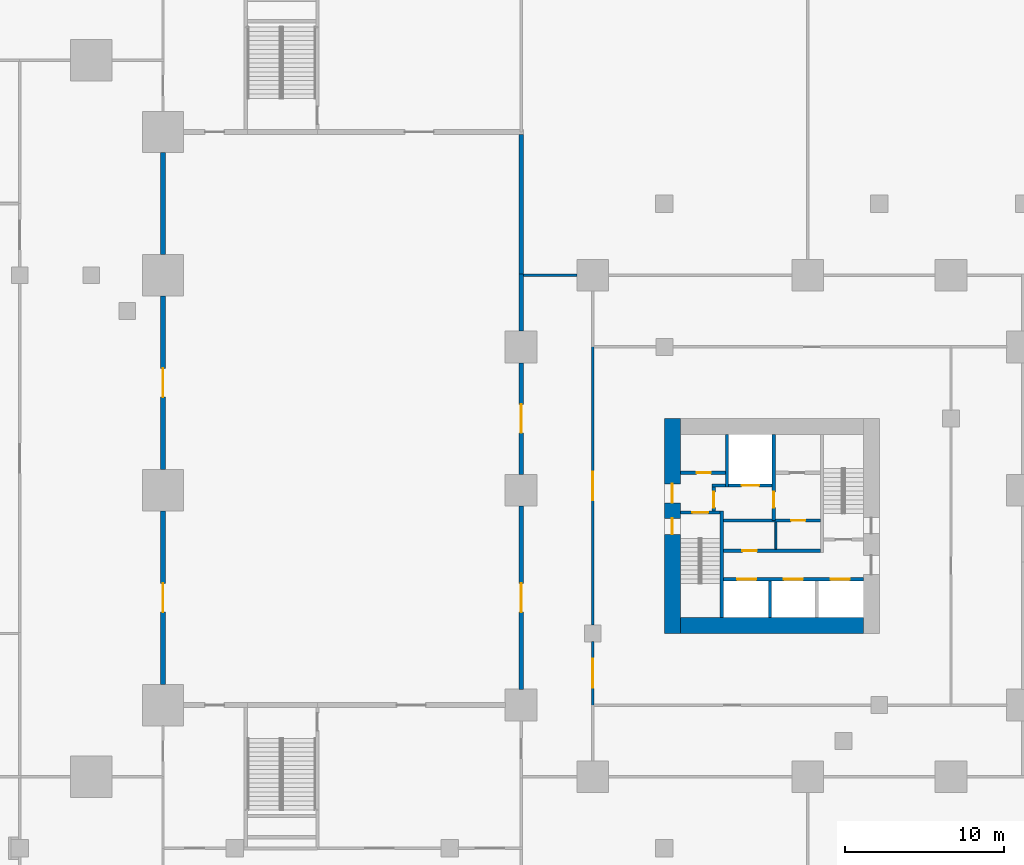
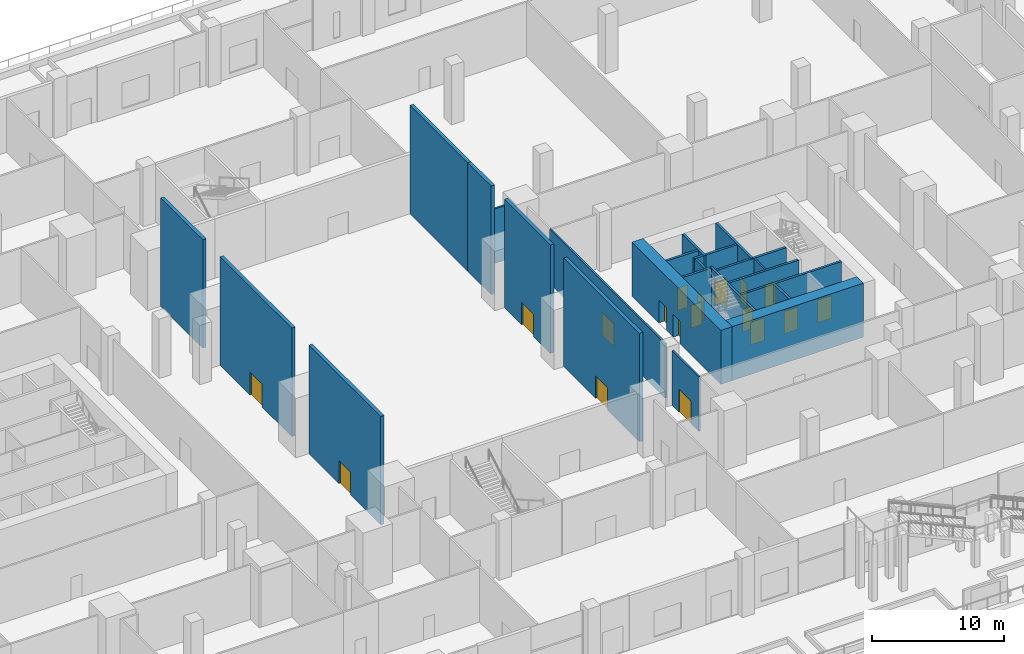
# One storey, part 30 of 47: 25 walls, 18 doors, 18 openings.
"""IFC4 building model written with IfcOpenShell, lengths in metres."""

from ifc_helpers import new_model, si_unit, direction, frame, frame_2d, origin, place, context, subcontext, project, spatial, rectangle, extrude, material, layer, layer_set, type_object, element, fill, save


model = new_model("IFC4")

# Units and contexts
model_context = context("Model", 3, precision=1e-05, world=origin(), true_north=direction((0.0, 1.0)))
body_context = subcontext(model_context, "Body", "Model", "MODEL_VIEW")
ifc_project = project(units=[si_unit("LENGTHUNIT", "METRE"), si_unit("AREAUNIT", "SQUARE_METRE"), si_unit("VOLUMEUNIT", "CUBIC_METRE"), si_unit("PLANEANGLEUNIT", "RADIAN"), si_unit("MASSUNIT", "GRAM", prefix="KILO")], contexts=[model_context])

# Site, building, storey
site_placement = place(None, origin())
site = spatial("IfcSite", under=ifc_project, at=site_placement, CompositionType="ELEMENT")
building_placement = place(site_placement, origin())
building = spatial("IfcBuilding", under=site, at=building_placement, Name="Altepetl Exchange Towers", CompositionType="ELEMENT")
storey_placement = place(building_placement, frame((0.0, 0.0, 6.0)))
storey = spatial("IfcBuildingStorey", under=building, at=storey_placement, Name="L01 Retail podium", CompositionType="ELEMENT", Elevation=6.0)

# Wall
ifc_material_1 = material(Name="Concrete C70/85", Category="concrete")
ifc_layer_1 = layer(ifc_material_1, 1.0)
ifc_layer_set_1 = layer_set([ifc_layer_1], Name="Concrete C70/85")
wall_type_1 = type_object("IfcWallType", Name="Core wall 1000 reinforced concrete", PredefinedType="SHEAR", material=ifc_layer_set_1)
wall_1_placement = place(storey_placement, frame((104.5, 36.5, 0.0)))
element("IfcWall", 1, at=wall_1_placement, inside=storey, type_object=wall_type_1, Name="wall:B:L01:K-coreS", PredefinedType="SHEAR", context=body_context, shape_type="SweptSolid", body=[
    extrude(rectangle(XDim=11.5, YDim=1.0, at=frame_2d((5.75, 0.0))), origin(), (0.0, 0.0, 1.0), 5.0),
])

# Wall, openings, doors
wall_2_placement = place(storey_placement, frame((104.0, 36.0, 0.0), z_axis=(0.0, 0.0, 1.0), x_axis=(0.0, 1.0, 0.0)))
wall_2 = element("IfcWall", 2, at=wall_2_placement, inside=storey, type_object=wall_type_1, Name="wall:B:L01:K-coreW", PredefinedType="SHEAR", context=body_context, shape_type="SweptSolid", body=[
    extrude(rectangle(XDim=13.5, YDim=1.0, at=frame_2d((6.75, 0.0))), origin(), (0.0, 0.0, 1.0), 5.0),
])
opening_1_placement = place(wall_2_placement, frame((8.199951171875, 0.0, 0.0)))
opening_1 = element("IfcOpeningElement", 3, at=opening_1_placement, cuts=wall_2, Name="Opening L01.B60", PredefinedType="OPENING", context=body_context, shape_type="SweptSolid", body=[
    extrude(rectangle(XDim=1.199951171875, YDim=2.10009765625, at=frame_2d((0.60009765625, 1.050048828125))), frame((0.0, 0.510009765625, 0.0), z_axis=(0.0, -1.0, 0.0), x_axis=(1.0, 0.0, 0.0)), (0.0, 0.0, 1.0), 1.02001953125),
])
opening_2_placement = place(wall_2_placement, frame((6.22509765625, 0.0, 0.0)))
opening_2 = element("IfcOpeningElement", 4, at=opening_2_placement, cuts=wall_2, Name="Opening L01.B63", PredefinedType="OPENING", context=body_context, shape_type="SweptSolid", body=[
    extrude(rectangle(XDim=1.0, YDim=2.10009765625, at=frame_2d((0.5, 1.050048828125))), frame((0.0, 0.510009765625, 0.0), z_axis=(0.0, -1.0, 0.0), x_axis=(1.0, 0.0, 0.0)), (0.0, 0.0, 1.0), 1.02001953125),
])
ifc_material_2 = material(Name="Steel and timber fire door", Category="steel")
door_type_1 = type_object("IfcDoorType", Name="Fire door 1000 x 2100 stair and lobby", OperationType="SINGLE_SWING_LEFT", PredefinedType="DOOR", material=ifc_material_2)
door_1_placement = place(opening_2_placement, frame((1.0, 0.0, 0.0), x_axis=(-1.0, 0.0, 0.0)))
door_1 = element("IfcDoor", 5, at=door_1_placement, inside=storey, type_object=door_type_1, Name="door:B:L01:K-dS1x", OperationType="SINGLE_SWING_RIGHT", OverallHeight=2.10009765625, OverallWidth=1.0, PredefinedType="DOOR", context=body_context, shape_type="SweptSolid", body=[
    extrude(rectangle(XDim=1.0, YDim=2.10009765625, at=frame_2d((0.5, 1.050048828125))), frame((0.0, 0.02490234375, 0.0), z_axis=(0.0, -1.0, 0.0), x_axis=(1.0, 0.0, 0.0)), (0.0, 0.0, 1.0), 0.050048828125),
])
fill(opening_2, door_1)
door_type_2 = type_object("IfcDoorType", Name="Fire door 1200 x 2100 lobby entry", OperationType="SINGLE_SWING_LEFT", PredefinedType="DOOR", material=ifc_material_2)
door_2_placement = place(opening_1_placement, frame((1.199951171875, 0.0, 0.0), x_axis=(-1.0, 0.0, 0.0)))
door_2 = element("IfcDoor", 6, at=door_2_placement, inside=storey, type_object=door_type_2, Name="door:B:L01:K-dLNW", OperationType="SINGLE_SWING_RIGHT", OverallHeight=2.10009765625, OverallWidth=1.199951171875, PredefinedType="DOOR", context=body_context, shape_type="SweptSolid", body=[
    extrude(rectangle(XDim=1.199951171875, YDim=2.10009765625, at=frame_2d((0.60009765625, 1.050048828125))), frame((0.0, 0.02490234375, 0.0), z_axis=(0.0, -1.0, 0.0), x_axis=(1.0, 0.0, 0.0)), (0.0, 0.0, 1.0), 0.050048828125),
])
fill(opening_1, door_2)

# Wall, opening, door
ifc_material_3 = material(Name="Reinforced concrete C35/45", Category="concrete")
ifc_layer_2 = layer(ifc_material_3, 0.300048828125)
ifc_layer_set_2 = layer_set([ifc_layer_2], Name="Reinforced concrete C35/45")
wall_type_2 = type_object("IfcWallType", Name="Exchange hall wall 300", PredefinedType="SOLIDWALL", material=ifc_layer_set_2)
wall_3_placement = place(storey_placement, frame((72.0, 32.794921875, 0.0), z_axis=(0.0, 0.0, 1.0), x_axis=(0.0, 1.0, 0.0)))
wall_3 = element("IfcWall", 7, at=wall_3_placement, inside=storey, type_object=wall_type_2, Name="wall:P:L01:P014", PredefinedType="SOLIDWALL", context=body_context, shape_type="SweptSolid", body=[
    extrude(rectangle(XDim=10.91015625, YDim=0.300048828125, at=frame_2d((5.455078125, 0.0))), origin(), (0.0, 0.0, 1.0), 10.050048828125),
])
opening_3_placement = place(wall_3_placement, frame((4.550048828125, 0.0, 0.0)))
opening_3 = element("IfcOpeningElement", 8, at=opening_3_placement, cuts=wall_3, Name="Opening L01.P035", PredefinedType="OPENING", context=body_context, shape_type="SweptSolid", body=[
    extrude(rectangle(XDim=1.800048828125, YDim=2.10009765625, at=frame_2d((0.89990234375, 1.050048828125))), frame((0.0, 0.16015625, 0.0), z_axis=(0.0, -1.0, 0.0), x_axis=(1.0, 0.0, 0.0)), (0.0, 0.0, 1.0), 0.320068359375),
])
ifc_material_4 = material(Name="Glazed aluminium and steel", Category="steel")
door_type_3 = type_object("IfcDoorType", Name="Podium fire door 1800 x 2100 double leaf", OperationType="DOUBLE_DOOR_SINGLE_SWING", PredefinedType="DOOR", material=ifc_material_4)
door_3_placement = place(opening_3_placement, origin())
door_3 = element("IfcDoor", 9, at=door_3_placement, inside=storey, type_object=door_type_3, Name="door:P:L01:035", OperationType="DOUBLE_DOOR_SINGLE_SWING", OverallHeight=2.10009765625, OverallWidth=1.800048828125, PredefinedType="DOOR", context=body_context, shape_type="SweptSolid", body=[
    extrude(rectangle(XDim=1.800048828125, YDim=2.10009765625, at=frame_2d((0.89990234375, 1.050048828125))), frame((0.0, 0.02490234375, 0.0), z_axis=(0.0, -1.0, 0.0), x_axis=(1.0, 0.0, 0.0)), (0.0, 0.0, 1.0), 0.050048828125),
])
fill(opening_3, door_3)

wall_4_placement = place(storey_placement, frame((72.0, 46.294921875, 0.0), z_axis=(0.0, 0.0, 1.0), x_axis=(0.0, 1.0, 0.0)))
wall_4 = element("IfcWall", 10, at=wall_4_placement, inside=storey, type_object=wall_type_2, Name="wall:P:L01:P015", PredefinedType="SOLIDWALL", context=body_context, shape_type="SweptSolid", body=[
    extrude(rectangle(XDim=10.91015625, YDim=0.300048828125, at=frame_2d((5.455078125, 0.0))), origin(), (0.0, 0.0, 1.0), 10.050048828125),
])
opening_4_placement = place(wall_4_placement, frame((4.550048828125, 0.0, 0.0)))
opening_4 = element("IfcOpeningElement", 11, at=opening_4_placement, cuts=wall_4, Name="Opening L01.P036", PredefinedType="OPENING", context=body_context, shape_type="SweptSolid", body=[
    extrude(rectangle(XDim=1.800048828125, YDim=2.10009765625, at=frame_2d((0.89990234375, 1.050048828125))), frame((0.0, 0.16015625, 0.0), z_axis=(0.0, -1.0, 0.0), x_axis=(1.0, 0.0, 0.0)), (0.0, 0.0, 1.0), 0.320068359375),
])
door_4_placement = place(opening_4_placement, origin())
door_4 = element("IfcDoor", 12, at=door_4_placement, inside=storey, type_object=door_type_3, Name="door:P:L01:036", OperationType="DOUBLE_DOOR_SINGLE_SWING", OverallHeight=2.10009765625, OverallWidth=1.800048828125, PredefinedType="DOOR", context=body_context, shape_type="SweptSolid", body=[
    extrude(rectangle(XDim=1.800048828125, YDim=2.10009765625, at=frame_2d((0.89990234375, 1.050048828125))), frame((0.0, 0.02490234375, 0.0), z_axis=(0.0, -1.0, 0.0), x_axis=(1.0, 0.0, 0.0)), (0.0, 0.0, 1.0), 0.050048828125),
])
fill(opening_4, door_4)

# Wall
wall_5_placement = place(storey_placement, frame((72.0, 59.794921875, 0.0), z_axis=(0.0, 0.0, 1.0), x_axis=(0.0, 1.0, 0.0)))
element("IfcWall", 13, at=wall_5_placement, inside=storey, type_object=wall_type_2, Name="wall:P:L01:P016", PredefinedType="SOLIDWALL", context=body_context, shape_type="SweptSolid", body=[
    extrude(rectangle(XDim=6.41015625, YDim=0.300048828125, at=frame_2d((3.205078125, 0.0))), origin(), (0.0, 0.0, 1.0), 10.050048828125),
])

# Wall, opening, door
wall_6_placement = place(storey_placement, frame((94.5, 32.4951171875, 0.0), z_axis=(0.0, 0.0, 1.0), x_axis=(0.0, 1.0, 0.0)))
wall_6 = element("IfcWall", 14, at=wall_6_placement, inside=storey, type_object=wall_type_2, Name="wall:P:L01:P017", PredefinedType="SOLIDWALL", context=body_context, shape_type="SweptSolid", body=[
    extrude(rectangle(XDim=11.509765625, YDim=0.300048828125, at=frame_2d((5.7548828125, 0.0))), origin(), (0.0, 0.0, 1.0), 10.050048828125),
])
opening_5_placement = place(wall_6_placement, frame((4.85009765625, 0.0, 0.0)))
opening_5 = element("IfcOpeningElement", 15, at=opening_5_placement, cuts=wall_6, Name="Opening L01.P037", PredefinedType="OPENING", context=body_context, shape_type="SweptSolid", body=[
    extrude(rectangle(XDim=1.800048828125, YDim=2.10009765625, at=frame_2d((0.89990234375, 1.050048828125))), frame((0.0, 0.16015625, 0.0), z_axis=(0.0, -1.0, 0.0), x_axis=(1.0, 0.0, 0.0)), (0.0, 0.0, 1.0), 0.320068359375),
])
door_5_placement = place(opening_5_placement, frame((1.800048828125, 0.0, 0.0), x_axis=(-1.0, 0.0, 0.0)))
door_5 = element("IfcDoor", 16, at=door_5_placement, inside=storey, type_object=door_type_3, Name="door:P:L01:037", OperationType="DOUBLE_DOOR_SINGLE_SWING", OverallHeight=2.10009765625, OverallWidth=1.800048828125, PredefinedType="DOOR", context=body_context, shape_type="SweptSolid", body=[
    extrude(rectangle(XDim=1.800048828125, YDim=2.10009765625, at=frame_2d((0.89990234375, 1.050048828125))), frame((0.0, 0.02490234375, 0.0), z_axis=(0.0, -1.0, 0.0), x_axis=(1.0, 0.0, 0.0)), (0.0, 0.0, 1.0), 0.050048828125),
])
fill(opening_5, door_5)

wall_7_placement = place(storey_placement, frame((94.5, 45.9951171875, 0.0), z_axis=(0.0, 0.0, 1.0), x_axis=(0.0, 1.0, 0.0)))
wall_7 = element("IfcWall", 17, at=wall_7_placement, inside=storey, type_object=wall_type_2, Name="wall:P:L01:P018", PredefinedType="SOLIDWALL", context=body_context, shape_type="SweptSolid", body=[
    extrude(rectangle(XDim=7.009765625, YDim=0.300048828125, at=frame_2d((3.5048828125, 0.0))), origin(), (0.0, 0.0, 1.0), 10.050048828125),
])
opening_6_placement = place(wall_7_placement, frame((2.60009765625, 0.0, 0.0)))
opening_6 = element("IfcOpeningElement", 18, at=opening_6_placement, cuts=wall_7, Name="Opening L01.P038", PredefinedType="OPENING", context=body_context, shape_type="SweptSolid", body=[
    extrude(rectangle(XDim=1.800048828125, YDim=2.10009765625, at=frame_2d((0.89990234375, 1.050048828125))), frame((0.0, 0.16015625, 0.0), z_axis=(0.0, -1.0, 0.0), x_axis=(1.0, 0.0, 0.0)), (0.0, 0.0, 1.0), 0.320068359375),
])
door_6_placement = place(opening_6_placement, frame((1.800048828125, 0.0, 0.0), x_axis=(-1.0, 0.0, 0.0)))
door_6 = element("IfcDoor", 19, at=door_6_placement, inside=storey, type_object=door_type_3, Name="door:P:L01:038", OperationType="DOUBLE_DOOR_SINGLE_SWING", OverallHeight=2.10009765625, OverallWidth=1.800048828125, PredefinedType="DOOR", context=body_context, shape_type="SweptSolid", body=[
    extrude(rectangle(XDim=1.800048828125, YDim=2.10009765625, at=frame_2d((0.89990234375, 1.050048828125))), frame((0.0, 0.02490234375, 0.0), z_axis=(0.0, -1.0, 0.0), x_axis=(1.0, 0.0, 0.0)), (0.0, 0.0, 1.0), 0.050048828125),
])
fill(opening_6, door_6)

# Walls
wall_8_placement = place(storey_placement, frame((94.5, 54.9951171875, 0.0), z_axis=(0.0, 0.0, 1.0), x_axis=(0.0, 1.0, 0.0)))
element("IfcWall", 20, at=wall_8_placement, inside=storey, type_object=wall_type_2, Name="wall:P:L01:P019", PredefinedType="SOLIDWALL", context=body_context, shape_type="SweptSolid", body=[
    extrude(rectangle(XDim=3.579833984375, YDim=0.300048828125, at=frame_2d((1.7900390625, 0.0))), origin(), (0.0, 0.0, 1.0), 10.050048828125),
])
wall_9_placement = place(storey_placement, frame((94.5, 58.425048828125, 0.0), z_axis=(0.0, 0.0, 1.0), x_axis=(0.0, 1.0, 0.0)))
element("IfcWall", 21, at=wall_9_placement, inside=storey, type_object=wall_type_2, Name="wall:P:L01:P020", PredefinedType="SOLIDWALL", context=body_context, shape_type="SweptSolid", body=[
    extrude(rectangle(XDim=8.925048828125, YDim=0.300048828125, at=frame_2d((4.46240234375, 0.0))), origin(), (0.0, 0.0, 1.0), 10.050048828125),
])
ifc_material_5 = material(Name="Concrete blockwork", Category="masonry")
ifc_layer_3 = layer(ifc_material_5, 0.199951171875)
ifc_layer_set_3 = layer_set([ifc_layer_3], Name="Concrete blockwork")
wall_type_3 = type_object("IfcWallType", Name="Lobby wall 200 blockwork", PredefinedType="PARTITIONING", material=ifc_layer_set_3)
wall_10_placement = place(storey_placement, frame((106.5, 45.300048828125, 0.0)))
element("IfcWall", 22, at=wall_10_placement, inside=storey, type_object=wall_type_3, Name="wall:B:L01:K-ffNw", PredefinedType="PARTITIONING", context=body_context, shape_type="SweptSolid", body=[
    extrude(rectangle(XDim=0.833251953125, YDim=0.199951171875, at=frame_2d((0.41650390625, 0.0))), origin(), (0.0, 0.0, 1.0), 5.0),
])

# Wall, opening, door
wall_11_placement = place(storey_placement, frame((106.60009765625, 43.699951171875, 0.0), z_axis=(0.0, 0.0, 1.0), x_axis=(0.0, 1.0, 0.0)))
wall_11 = element("IfcWall", 23, at=wall_11_placement, inside=storey, type_object=wall_type_3, Name="wall:B:L01:K-ffW", PredefinedType="PARTITIONING", context=body_context, shape_type="SweptSolid", body=[
    extrude(rectangle(XDim=1.5, YDim=0.199951171875, at=frame_2d((0.75, 0.0))), origin(), (0.0, 0.0, 1.0), 5.0),
])
opening_7_placement = place(wall_11_placement, frame((0.199951171875, 0.0, 0.0)))
opening_7 = element("IfcOpeningElement", 24, at=opening_7_placement, cuts=wall_11, Name="Opening L01.B67", PredefinedType="OPENING", context=body_context, shape_type="SweptSolid", body=[
    extrude(rectangle(XDim=1.0, YDim=2.10009765625, at=frame_2d((0.5, 1.050048828125))), frame((0.0, 0.10986328125, 0.0), z_axis=(0.0, -1.0, 0.0), x_axis=(1.0, 0.0, 0.0)), (0.0, 0.0, 1.0), 0.219970703125),
])
door_7_placement = place(opening_7_placement, frame((1.0, 0.0, 0.0), x_axis=(-1.0, 0.0, 0.0)))
door_7 = element("IfcDoor", 25, at=door_7_placement, inside=storey, type_object=door_type_1, Name="door:B:L01:K-dffW", OperationType="SINGLE_SWING_LEFT", OverallHeight=2.10009765625, OverallWidth=1.0, PredefinedType="DOOR", context=body_context, shape_type="SweptSolid", body=[
    extrude(rectangle(XDim=1.0, YDim=2.10009765625, at=frame_2d((0.5, 1.050048828125))), frame((0.0, 0.02490234375, 0.0), z_axis=(0.0, -1.0, 0.0), x_axis=(1.0, 0.0, 0.0)), (0.0, 0.0, 1.0), 0.050048828125),
])
fill(opening_7, door_7)

wall_12_placement = place(storey_placement, frame((107.199951171875, 43.10009765625, 0.0)))
wall_12 = element("IfcWall", 26, at=wall_12_placement, inside=storey, type_object=wall_type_3, Name="wall:B:L01:K-zoneN", PredefinedType="PARTITIONING", context=body_context, shape_type="SweptSolid", body=[
    extrude(rectangle(XDim=6.10009765625, YDim=0.199951171875, at=frame_2d((3.050048828125, 0.0))), origin(), (0.0, 0.0, 1.0), 5.0),
])
opening_8_placement = place(wall_12_placement, frame((4.258544921875, 0.0, 0.0)))
opening_8 = element("IfcOpeningElement", 27, at=opening_8_placement, cuts=wall_12, Name="Opening L01.B71", PredefinedType="OPENING", context=body_context, shape_type="SweptSolid", body=[
    extrude(rectangle(XDim=0.89990234375, YDim=2.10009765625, at=frame_2d((0.449951171875, 1.050048828125))), frame((0.0, 0.10986328125, 0.0), z_axis=(0.0, -1.0, 0.0), x_axis=(1.0, 0.0, 0.0)), (0.0, 0.0, 1.0), 0.219970703125),
])
door_type_4 = type_object("IfcDoorType", Name="Fire door 900 x 2100 service room", OperationType="SINGLE_SWING_LEFT", PredefinedType="DOOR", material=ifc_material_2)
door_8_placement = place(opening_8_placement, frame((0.89990234375, 0.0, 0.0), x_axis=(-1.0, 0.0, 0.0)))
door_8 = element("IfcDoor", 28, at=door_8_placement, inside=storey, type_object=door_type_4, Name="door:B:L01:K-dz2", OperationType="SINGLE_SWING_LEFT", OverallHeight=2.10009765625, OverallWidth=0.89990234375, PredefinedType="DOOR", context=body_context, shape_type="SweptSolid", body=[
    extrude(rectangle(XDim=0.89990234375, YDim=2.10009765625, at=frame_2d((0.449951171875, 1.050048828125))), frame((0.0, 0.02490234375, 0.0), z_axis=(0.0, -1.0, 0.0), x_axis=(1.0, 0.0, 0.0)), (0.0, 0.0, 1.0), 0.050048828125),
])
fill(opening_8, door_8)

wall_13_placement = place(storey_placement, frame((107.199951171875, 41.199951171875, 0.0)))
wall_13 = element("IfcWall", 29, at=wall_13_placement, inside=storey, type_object=wall_type_3, Name="wall:B:L01:K-zoneS", PredefinedType="PARTITIONING", context=body_context, shape_type="SweptSolid", body=[
    extrude(rectangle(XDim=6.10009765625, YDim=0.199951171875, at=frame_2d((3.050048828125, 0.0))), origin(), (0.0, 0.0, 1.0), 5.0),
])
opening_9_placement = place(wall_13_placement, frame((1.199951171875, 0.0, 0.0)))
opening_9 = element("IfcOpeningElement", 30, at=opening_9_placement, cuts=wall_13, Name="Opening L01.B70", PredefinedType="OPENING", context=body_context, shape_type="SweptSolid", body=[
    extrude(rectangle(XDim=0.89990234375, YDim=2.10009765625, at=frame_2d((0.449951171875, 1.050048828125))), frame((0.0, 0.10986328125, 0.0), z_axis=(0.0, -1.0, 0.0), x_axis=(1.0, 0.0, 0.0)), (0.0, 0.0, 1.0), 0.219970703125),
])
door_9_placement = place(opening_9_placement, origin())
door_9 = element("IfcDoor", 31, at=door_9_placement, inside=storey, type_object=door_type_4, Name="door:B:L01:K-dz1", OperationType="SINGLE_SWING_RIGHT", OverallHeight=2.10009765625, OverallWidth=0.89990234375, PredefinedType="DOOR", context=body_context, shape_type="SweptSolid", body=[
    extrude(rectangle(XDim=0.89990234375, YDim=2.10009765625, at=frame_2d((0.449951171875, 1.050048828125))), frame((0.0, 0.02490234375, 0.0), z_axis=(0.0, -1.0, 0.0), x_axis=(1.0, 0.0, 0.0)), (0.0, 0.0, 1.0), 0.050048828125),
])
fill(opening_9, door_9)

# Wall
ifc_material_6 = material(Name="Gypsum board on steel studs", Category="steel")
ifc_layer_4 = layer(ifc_material_6, 0.125)
ifc_layer_set_4 = layer_set([ifc_layer_4], Name="Gypsum board on steel studs")
wall_type_4 = type_object("IfcWallType", Name="Partition 125 gypsum board on steel studs", PredefinedType="PARTITIONING", material=ifc_layer_set_4)
wall_14_placement = place(storey_placement, frame((110.5, 41.300048828125, 0.0), z_axis=(0.0, 0.0, 1.0), x_axis=(0.0, 1.0, 0.0)))
element("IfcWall", 32, at=wall_14_placement, inside=storey, type_object=wall_type_4, Name="wall:B:L01:K-zp1", PredefinedType="PARTITIONING", context=body_context, shape_type="SweptSolid", body=[
    extrude(rectangle(XDim=1.699951171875, YDim=0.125, at=frame_2d((0.85009765625, 0.0))), origin(), (0.0, 0.0, 1.0), 5.0),
])

# Wall, opening, door
ifc_layer_5 = layer(ifc_material_6, 0.14990234375)
ifc_layer_set_5 = layer_set([ifc_layer_5], Name="Gypsum board on steel studs")
wall_type_5 = type_object("IfcWallType", Name="Podium partition 150", PredefinedType="PARTITIONING", material=ifc_layer_set_5)
wall_15_placement = place(storey_placement, frame((99.0, 31.425048828125, 0.0), z_axis=(0.0, 0.0, 1.0), x_axis=(0.0, 1.0, 0.0)))
wall_15 = element("IfcWall", 33, at=wall_15_placement, inside=storey, type_object=wall_type_5, Name="wall:P:L01:P123", PredefinedType="PARTITIONING", context=body_context, shape_type="SweptSolid", body=[
    extrude(rectangle(XDim=4.054931640625, YDim=0.14990234375, at=frame_2d((2.02734375, 0.0))), origin(), (0.0, 0.0, 1.0), 5.050048828125),
])
opening_10_placement = place(wall_15_placement, frame((1.175048828125, 0.0, 0.0)))
opening_10 = element("IfcOpeningElement", 34, at=opening_10_placement, cuts=wall_15, Name="Opening L01.P055", PredefinedType="OPENING", context=body_context, shape_type="SweptSolid", body=[
    extrude(rectangle(XDim=1.800048828125, YDim=2.10009765625, at=frame_2d((0.89990234375, 1.050048828125))), frame((0.0, 0.0849609375, 0.0), z_axis=(0.0, -1.0, 0.0), x_axis=(1.0, 0.0, 0.0)), (0.0, 0.0, 1.0), 0.169921875),
])
door_10_placement = place(opening_10_placement, origin())
door_10 = element("IfcDoor", 35, at=door_10_placement, inside=storey, type_object=door_type_3, Name="door:P:L01:055", OperationType="DOUBLE_DOOR_SINGLE_SWING", OverallHeight=2.10009765625, OverallWidth=1.800048828125, PredefinedType="DOOR", context=body_context, shape_type="SweptSolid", body=[
    extrude(rectangle(XDim=1.800048828125, YDim=2.10009765625, at=frame_2d((0.89990234375, 1.050048828125))), frame((0.0, 0.02490234375, 0.0), z_axis=(0.0, -1.0, 0.0), x_axis=(1.0, 0.0, 0.0)), (0.0, 0.0, 1.0), 0.050048828125),
])
fill(opening_10, door_10)

wall_16_placement = place(storey_placement, frame((99.0, 36.52001953125, 0.0), z_axis=(0.0, 0.0, 1.0), x_axis=(0.0, 1.0, 0.0)))
wall_16 = element("IfcWall", 36, at=wall_16_placement, inside=storey, type_object=wall_type_5, Name="wall:P:L01:P124", PredefinedType="PARTITIONING", context=body_context, shape_type="SweptSolid", body=[
    extrude(rectangle(XDim=17.554931640625, YDim=0.14990234375, at=frame_2d((8.77734375, 0.0))), origin(), (0.0, 0.0, 1.0), 5.050048828125),
])
opening_11_placement = place(wall_16_placement, frame((7.85009765625, 0.0, 0.0)))
opening_11 = element("IfcOpeningElement", 37, at=opening_11_placement, cuts=wall_16, Name="Opening L01.P054", PredefinedType="OPENING", context=body_context, shape_type="SweptSolid", body=[
    extrude(rectangle(XDim=1.800048828125, YDim=2.10009765625, at=frame_2d((0.89990234375, 1.050048828125))), frame((0.0, 0.0849609375, 0.0), z_axis=(0.0, -1.0, 0.0), x_axis=(1.0, 0.0, 0.0)), (0.0, 0.0, 1.0), 0.169921875),
])
door_11_placement = place(opening_11_placement, origin())
door_11 = element("IfcDoor", 38, at=door_11_placement, inside=storey, type_object=door_type_3, Name="door:P:L01:054", OperationType="DOUBLE_DOOR_SINGLE_SWING", OverallHeight=2.10009765625, OverallWidth=1.800048828125, PredefinedType="DOOR", context=body_context, shape_type="SweptSolid", body=[
    extrude(rectangle(XDim=1.800048828125, YDim=2.10009765625, at=frame_2d((0.89990234375, 1.050048828125))), frame((0.0, 0.02490234375, 0.0), z_axis=(0.0, -1.0, 0.0), x_axis=(1.0, 0.0, 0.0)), (0.0, 0.0, 1.0), 0.050048828125),
])
fill(opening_11, door_11)

# Walls
wall_17_placement = place(storey_placement, frame((94.64990234375, 58.5, 0.0)))
element("IfcWall", 39, at=wall_17_placement, inside=storey, type_object=wall_type_5, Name="wall:P:L01:P128", PredefinedType="PARTITIONING", context=body_context, shape_type="SweptSolid", body=[
    extrude(rectangle(XDim=3.35498046875, YDim=0.14990234375, at=frame_2d((1.677490234375, 0.0))), origin(), (0.0, 0.0, 1.0), 5.050048828125),
])
ifc_material_7 = material(Name="Concrete C40/50", Category="concrete")
ifc_layer_6 = layer(ifc_material_7, 0.199951171875)
ifc_layer_set_6 = layer_set([ifc_layer_6], Name="Concrete C40/50")
wall_type_6 = type_object("IfcWallType", Name="Shaft wall 200 reinforced concrete", PredefinedType="SHEAR", material=ifc_layer_set_6)
wall_18_placement = place(storey_placement, frame((107.433349609375, 48.5, 0.0), z_axis=(0.0, 0.0, 1.0), x_axis=(0.0, -1.0, 0.0)))
element("IfcWall", 40, at=wall_18_placement, inside=storey, type_object=wall_type_6, Name="wall:B:L01:K-divN1", PredefinedType="SHEAR", context=body_context, shape_type="SweptSolid", body=[
    extrude(rectangle(XDim=3.300048828125, YDim=0.199951171875, at=frame_2d((1.64990234375, 0.0))), origin(), (0.0, 0.0, 1.0), 5.0),
])

# Wall, opening, door
wall_19_placement = place(storey_placement, frame((110.36669921875, 48.5, 0.0), z_axis=(0.0, 0.0, 1.0), x_axis=(0.0, -1.0, 0.0)))
wall_19 = element("IfcWall", 41, at=wall_19_placement, inside=storey, type_object=wall_type_6, Name="wall:B:L01:K-divN2", PredefinedType="SHEAR", context=body_context, shape_type="SweptSolid", body=[
    extrude(rectangle(XDim=5.39990234375, YDim=0.199951171875, at=frame_2d((2.699951171875, 0.0))), origin(), (0.0, 0.0, 1.0), 5.0),
])
opening_12_placement = place(wall_19_placement, frame((3.60009765625, 0.0, 0.0)))
opening_12 = element("IfcOpeningElement", 42, at=opening_12_placement, cuts=wall_19, Name="Opening L01.B66", PredefinedType="OPENING", context=body_context, shape_type="SweptSolid", body=[
    extrude(rectangle(XDim=1.0, YDim=2.10009765625, at=frame_2d((0.5, 1.050048828125))), frame((0.0, 0.10986328125, 0.0), z_axis=(0.0, -1.0, 0.0), x_axis=(1.0, 0.0, 0.0)), (0.0, 0.0, 1.0), 0.219970703125),
])
door_12_placement = place(opening_12_placement, frame((1.0, 0.0, 0.0), x_axis=(-1.0, 0.0, 0.0)))
door_12 = element("IfcDoor", 43, at=door_12_placement, inside=storey, type_object=door_type_1, Name="door:B:L01:K-dffE", OperationType="SINGLE_SWING_RIGHT", OverallHeight=2.10009765625, OverallWidth=1.0, PredefinedType="DOOR", context=body_context, shape_type="SweptSolid", body=[
    extrude(rectangle(XDim=1.0, YDim=2.10009765625, at=frame_2d((0.5, 1.050048828125))), frame((0.0, 0.02490234375, 0.0), z_axis=(0.0, -1.0, 0.0), x_axis=(1.0, 0.0, 0.0)), (0.0, 0.0, 1.0), 0.050048828125),
])
fill(opening_12, door_12)

# Wall
wall_20_placement = place(storey_placement, frame((110.13330078125, 37.0, 0.0), z_axis=(0.0, 0.0, 1.0), x_axis=(0.0, 1.0, 0.0)))
element("IfcWall", 44, at=wall_20_placement, inside=storey, type_object=wall_type_6, Name="wall:B:L01:K-divS1", PredefinedType="SHEAR", context=body_context, shape_type="SweptSolid", body=[
    extrude(rectangle(XDim=2.300048828125, YDim=0.199951171875, at=frame_2d((1.14990234375, 0.0))), origin(), (0.0, 0.0, 1.0), 5.0),
])

# Wall, opening, door
wall_21_placement = place(storey_placement, frame((104.5, 46.10009765625, 0.0)))
wall_21 = element("IfcWall", 45, at=wall_21_placement, inside=storey, type_object=wall_type_6, Name="wall:B:L01:K-frontNa", PredefinedType="SHEAR", context=body_context, shape_type="SweptSolid", body=[
    extrude(rectangle(XDim=2.833251953125, YDim=0.199951171875, at=frame_2d((1.41650390625, 0.0))), origin(), (0.0, 0.0, 1.0), 5.0),
])
opening_13_placement = place(wall_21_placement, frame((1.0166015625, 0.0, 0.0)))
opening_13 = element("IfcOpeningElement", 46, at=opening_13_placement, cuts=wall_21, Name="Opening L01.B68", PredefinedType="OPENING", context=body_context, shape_type="SweptSolid", body=[
    extrude(rectangle(XDim=0.89990234375, YDim=2.10009765625, at=frame_2d((0.449951171875, 1.050048828125))), frame((0.0, 0.10986328125, 0.0), z_axis=(0.0, -1.0, 0.0), x_axis=(1.0, 0.0, 0.0)), (0.0, 0.0, 1.0), 0.219970703125),
])
door_13_placement = place(opening_13_placement, origin())
door_13 = element("IfcDoor", 47, at=door_13_placement, inside=storey, type_object=door_type_4, Name="door:B:L01:K-dslotN0", OperationType="SINGLE_SWING_RIGHT", OverallHeight=2.10009765625, OverallWidth=0.89990234375, PredefinedType="DOOR", context=body_context, shape_type="SweptSolid", body=[
    extrude(rectangle(XDim=0.89990234375, YDim=2.10009765625, at=frame_2d((0.449951171875, 1.050048828125))), frame((0.0, 0.02490234375, 0.0), z_axis=(0.0, -1.0, 0.0), x_axis=(1.0, 0.0, 0.0)), (0.0, 0.0, 1.0), 0.050048828125),
])
fill(opening_13, door_13)

wall_22_placement = place(storey_placement, frame((107.533203125, 45.300048828125, 0.0)))
wall_22 = element("IfcWall", 48, at=wall_22_placement, inside=storey, type_object=wall_type_6, Name="wall:B:L01:K-frontNd", PredefinedType="SHEAR", context=body_context, shape_type="SweptSolid", body=[
    extrude(rectangle(XDim=2.7333984375, YDim=0.199951171875, at=frame_2d((1.36669921875, 0.0))), origin(), (0.0, 0.0, 1.0), 5.0),
])
opening_14_placement = place(wall_22_placement, frame((0.816650390625, 0.0, 0.0)))
opening_14 = element("IfcOpeningElement", 49, at=opening_14_placement, cuts=wall_22, Name="Opening L01.B72", PredefinedType="OPENING", context=body_context, shape_type="SweptSolid", body=[
    extrude(rectangle(XDim=1.10009765625, YDim=2.10009765625, at=frame_2d((0.550048828125, 1.050048828125))), frame((0.0, 0.10986328125, 0.0), z_axis=(0.0, -1.0, 0.0), x_axis=(1.0, 0.0, 0.0)), (0.0, 0.0, 1.0), 0.219970703125),
])
ifc_material_8 = material(Name="Stainless steel", Category="steel")
door_type_5 = type_object("IfcDoorType", Name="Lift landing door 1100 x 2100", OperationType="SLIDING_TO_LEFT", PredefinedType="DOOR", material=ifc_material_8)
door_14_placement = place(opening_14_placement, origin())
door_14 = element("IfcDoor", 50, at=door_14_placement, inside=storey, type_object=door_type_5, Name="Landing door FFL1", OperationType="SLIDING_TO_LEFT", OverallHeight=2.10009765625, OverallWidth=1.10009765625, PredefinedType="DOOR", context=body_context, shape_type="SweptSolid", body=[
    extrude(rectangle(XDim=1.10009765625, YDim=2.10009765625, at=frame_2d((0.550048828125, 1.050048828125))), frame((0.0, 0.02490234375, 0.0), z_axis=(0.0, -1.0, 0.0), x_axis=(1.0, 0.0, 0.0)), (0.0, 0.0, 1.0), 0.050048828125),
])
fill(opening_14, door_14)

# Wall, openings, doors
wall_23_placement = place(storey_placement, frame((107.199951171875, 39.39990234375, 0.0)))
wall_23 = element("IfcWall", 51, at=wall_23_placement, inside=storey, type_object=wall_type_6, Name="wall:B:L01:K-frontS", PredefinedType="SHEAR", context=body_context, shape_type="SweptSolid", body=[
    extrude(rectangle(XDim=8.800048828125, YDim=0.199951171875, at=frame_2d((4.39990234375, 0.0))), origin(), (0.0, 0.0, 1.0), 5.0),
])
opening_15_placement = place(wall_23_placement, frame((0.86669921875, 0.0, 0.0)))
opening_15 = element("IfcOpeningElement", 52, at=opening_15_placement, cuts=wall_23, Name="Opening L01.B73", PredefinedType="OPENING", context=body_context, shape_type="SweptSolid", body=[
    extrude(rectangle(XDim=1.199951171875, YDim=2.10009765625, at=frame_2d((0.60009765625, 1.050048828125))), frame((0.0, 0.10986328125, 0.0), z_axis=(0.0, -1.0, 0.0), x_axis=(1.0, 0.0, 0.0)), (0.0, 0.0, 1.0), 0.219970703125),
])
opening_16_placement = place(wall_23_placement, frame((3.800048828125, 0.0, 0.0)))
opening_16 = element("IfcOpeningElement", 53, at=opening_16_placement, cuts=wall_23, Name="Opening L01.B74", PredefinedType="OPENING", context=body_context, shape_type="SweptSolid", body=[
    extrude(rectangle(XDim=1.199951171875, YDim=2.10009765625, at=frame_2d((0.60009765625, 1.050048828125))), frame((0.0, 0.10986328125, 0.0), z_axis=(0.0, -1.0, 0.0), x_axis=(1.0, 0.0, 0.0)), (0.0, 0.0, 1.0), 0.219970703125),
])
opening_17_placement = place(wall_23_placement, frame((6.7333984375, 0.0, 0.0)))
opening_17 = element("IfcOpeningElement", 54, at=opening_17_placement, cuts=wall_23, Name="Opening L01.B75", PredefinedType="OPENING", context=body_context, shape_type="SweptSolid", body=[
    extrude(rectangle(XDim=1.199951171875, YDim=2.10009765625, at=frame_2d((0.60009765625, 1.050048828125))), frame((0.0, 0.10986328125, 0.0), z_axis=(0.0, -1.0, 0.0), x_axis=(1.0, 0.0, 0.0)), (0.0, 0.0, 1.0), 0.219970703125),
])
door_type_6 = type_object("IfcDoorType", Name="Lift landing door 1200 x 2100", OperationType="SLIDING_TO_LEFT", PredefinedType="DOOR", material=ifc_material_8)
door_15_placement = place(opening_15_placement, origin())
door_15 = element("IfcDoor", 55, at=door_15_placement, inside=storey, type_object=door_type_6, Name="Landing door P1", OperationType="SLIDING_TO_LEFT", OverallHeight=2.10009765625, OverallWidth=1.199951171875, PredefinedType="DOOR", context=body_context, shape_type="SweptSolid", body=[
    extrude(rectangle(XDim=1.199951171875, YDim=2.10009765625, at=frame_2d((0.60009765625, 1.050048828125))), frame((0.0, 0.02490234375, 0.0), z_axis=(0.0, -1.0, 0.0), x_axis=(1.0, 0.0, 0.0)), (0.0, 0.0, 1.0), 0.050048828125),
])
fill(opening_15, door_15)
door_16_placement = place(opening_16_placement, origin())
door_16 = element("IfcDoor", 56, at=door_16_placement, inside=storey, type_object=door_type_6, Name="Landing door P2", OperationType="SLIDING_TO_LEFT", OverallHeight=2.10009765625, OverallWidth=1.199951171875, PredefinedType="DOOR", context=body_context, shape_type="SweptSolid", body=[
    extrude(rectangle(XDim=1.199951171875, YDim=2.10009765625, at=frame_2d((0.60009765625, 1.050048828125))), frame((0.0, 0.02490234375, 0.0), z_axis=(0.0, -1.0, 0.0), x_axis=(1.0, 0.0, 0.0)), (0.0, 0.0, 1.0), 0.050048828125),
])
fill(opening_16, door_16)
door_17_placement = place(opening_17_placement, origin())
door_17 = element("IfcDoor", 57, at=door_17_placement, inside=storey, type_object=door_type_6, Name="Landing door P3", OperationType="SLIDING_TO_LEFT", OverallHeight=2.10009765625, OverallWidth=1.199951171875, PredefinedType="DOOR", context=body_context, shape_type="SweptSolid", body=[
    extrude(rectangle(XDim=1.199951171875, YDim=2.10009765625, at=frame_2d((0.60009765625, 1.050048828125))), frame((0.0, 0.02490234375, 0.0), z_axis=(0.0, -1.0, 0.0), x_axis=(1.0, 0.0, 0.0)), (0.0, 0.0, 1.0), 0.050048828125),
])
fill(opening_17, door_17)

# Wall
ifc_layer_7 = layer(ifc_material_7, 0.199951171875)
ifc_layer_set_7 = layer_set([ifc_layer_7], Name="Concrete C40/50")
wall_type_7 = type_object("IfcWallType", Name="Stair wall 200 reinforced concrete", PredefinedType="SHEAR", material=ifc_layer_set_7)
wall_24_placement = place(storey_placement, frame((107.10009765625, 37.0, 0.0), z_axis=(0.0, 0.0, 1.0), x_axis=(0.0, 1.0, 0.0)))
element("IfcWall", 58, at=wall_24_placement, inside=storey, type_object=wall_type_7, Name="wall:B:L01:K-stS1E", PredefinedType="SHEAR", context=body_context, shape_type="SweptSolid", body=[
    extrude(rectangle(XDim=6.699951171875, YDim=0.199951171875, at=frame_2d((3.35009765625, 0.0))), origin(), (0.0, 0.0, 1.0), 5.0),
])

# Wall, opening, door
wall_25_placement = place(storey_placement, frame((104.5, 43.60009765625, 0.0)))
wall_25 = element("IfcWall", 59, at=wall_25_placement, inside=storey, type_object=wall_type_7, Name="wall:B:L01:K-stS1N", PredefinedType="SHEAR", context=body_context, shape_type="SweptSolid", body=[
    extrude(rectangle(XDim=2.5, YDim=0.199951171875, at=frame_2d((1.25, 0.0))), origin(), (0.0, 0.0, 1.0), 5.0),
])
opening_18_placement = place(wall_25_placement, frame((0.75, 0.0, 0.0)))
opening_18 = element("IfcOpeningElement", 60, at=opening_18_placement, cuts=wall_25, Name="Opening L01.B62", PredefinedType="OPENING", context=body_context, shape_type="SweptSolid", body=[
    extrude(rectangle(XDim=1.0, YDim=2.10009765625, at=frame_2d((0.5, 1.050048828125))), frame((0.0, 0.10986328125, 0.0), z_axis=(0.0, -1.0, 0.0), x_axis=(1.0, 0.0, 0.0)), (0.0, 0.0, 1.0), 0.219970703125),
])
door_18_placement = place(opening_18_placement, frame((1.0, 0.0, 0.0), x_axis=(-1.0, 0.0, 0.0)))
door_18 = element("IfcDoor", 61, at=door_18_placement, inside=storey, type_object=door_type_1, Name="door:B:L01:K-dS1in", OperationType="SINGLE_SWING_LEFT", OverallHeight=2.10009765625, OverallWidth=1.0, PredefinedType="DOOR", context=body_context, shape_type="SweptSolid", body=[
    extrude(rectangle(XDim=1.0, YDim=2.10009765625, at=frame_2d((0.5, 1.050048828125))), frame((0.0, 0.02490234375, 0.0), z_axis=(0.0, -1.0, 0.0), x_axis=(1.0, 0.0, 0.0)), (0.0, 0.0, 1.0), 0.050048828125),
])
fill(opening_18, door_18)

save(model, "model.ifc")
